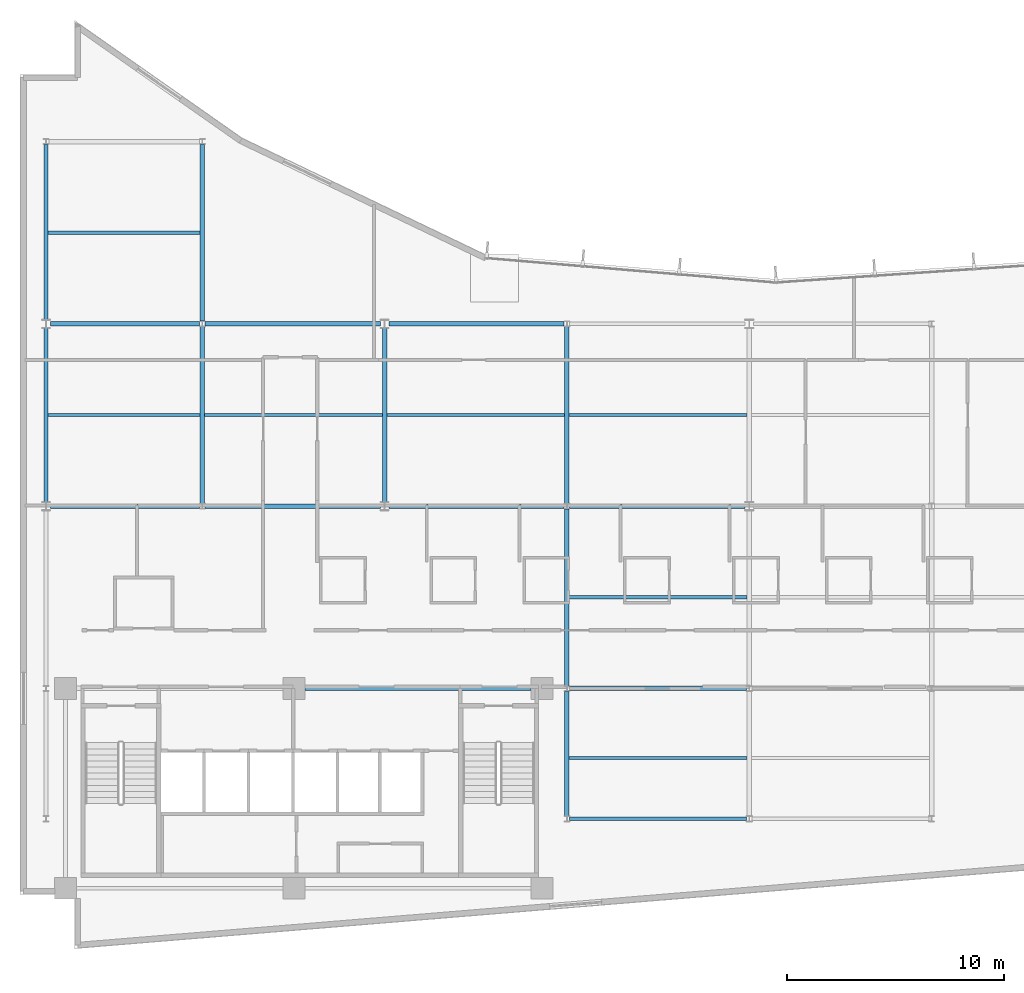
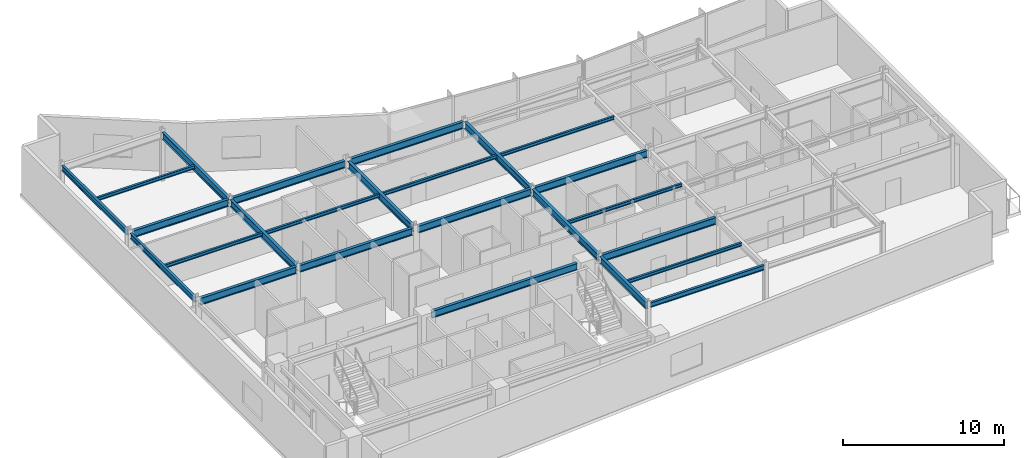
# One storey, part 4 of 15: 25 beams.
"""IFC4 building model written with IfcOpenShell, lengths in metres."""

from ifc_helpers import new_model, si_unit, direction, frame, origin, origin_2d, place, context, subcontext, project, spatial, i_section, extrude, material, material_profile, profile_set, type_object, element, save


model = new_model("IFC4")

# Units and contexts
model_context = context("Model", 3, precision=1e-05, world=origin(), true_north=direction((0.0, 1.0)))
body_context = subcontext(model_context, "Body", "Model", "MODEL_VIEW")
ifc_project = project(units=[si_unit("LENGTHUNIT", "METRE"), si_unit("AREAUNIT", "SQUARE_METRE"), si_unit("VOLUMEUNIT", "CUBIC_METRE"), si_unit("PLANEANGLEUNIT", "RADIAN"), si_unit("MASSUNIT", "GRAM", prefix="KILO")], contexts=[model_context])

# Site, building, storey
site_placement = place(None, origin())
site = spatial("IfcSite", under=ifc_project, at=site_placement, CompositionType="ELEMENT")
building_placement = place(site_placement, origin())
building = spatial("IfcBuilding", under=site, at=building_placement, Name="Varnakote Quay Hospital", CompositionType="ELEMENT")
storey_placement = place(building_placement, frame((0.0, 0.0, 200.0)))
storey = spatial("IfcBuildingStorey", under=building, at=storey_placement, Name="L49", CompositionType="ELEMENT", Elevation=200.0)

# Beams
ifc_material_1 = material(Name="Structural steel AS/NZS 3679.1 Grade 350 L0 (fy 340 MPa)", Category="steel")
ifc_material_profile_1 = material_profile(ifc_material_1, i_section(OverallWidth=0.208984375, OverallDepth=0.528076171875, WebThickness=0.009521484375, FlangeThickness=0.01318359375, FilletRadius=0.013916015625, at=origin_2d()), Name="530UB82.0")
ifc_profile_set_1 = profile_set([ifc_material_profile_1], Name="Structural steel AS/NZS 3679.1 Grade 350 L0 (fy 340 MPa)")
beam_type_1 = type_object("IfcBeamType", Name="BM-STL-530UB82-0", PredefinedType="BEAM", material=ifc_profile_set_1)
beam_1_placement = place(storey_placement, frame((8.39990234375, 20.530029296875, 3.446044921875), z_axis=(0.0, 1.0, 0.0), x_axis=(-1.0, 0.0, 0.0)))
element("IfcBeam", 1, at=beam_1_placement, inside=storey, type_object=beam_type_1, Name="L49 Primary Tie Beam", PredefinedType="BEAM", context=body_context, shape_type="SweptSolid", body=[
    extrude(i_section(OverallWidth=0.208984375, OverallDepth=0.528076171875, WebThickness=0.009521484375, FlangeThickness=0.01318359375, FilletRadius=0.013916015625, at=origin_2d()), origin(), (0.0, 0.0, 1.0), 8.139892578125),
])
beam_2_placement = place(storey_placement, frame((8.39990234375, 28.929931640625, 3.446044921875), z_axis=(0.0, 1.0, 0.0), x_axis=(-1.0, 0.0, 0.0)))
element("IfcBeam", 2, at=beam_2_placement, inside=storey, type_object=beam_type_1, Name="L49 Primary Tie Beam", PredefinedType="BEAM", context=body_context, shape_type="SweptSolid", body=[
    extrude(i_section(OverallWidth=0.208984375, OverallDepth=0.528076171875, WebThickness=0.009521484375, FlangeThickness=0.01318359375, FilletRadius=0.013916015625, at=origin_2d()), origin(), (0.0, 0.0, 1.0), 8.14013671875),
])
beam_3_placement = place(storey_placement, frame((16.800048828125, 20.60205078125, 3.446044921875), z_axis=(0.0, 1.0, 0.0), x_axis=(-1.0, 0.0, 0.0)))
element("IfcBeam", 3, at=beam_3_placement, inside=storey, type_object=beam_type_1, Name="L49 Primary Tie Beam", PredefinedType="BEAM", context=body_context, shape_type="SweptSolid", body=[
    extrude(i_section(OverallWidth=0.208984375, OverallDepth=0.528076171875, WebThickness=0.009521484375, FlangeThickness=0.01318359375, FilletRadius=0.013916015625, at=origin_2d()), origin(), (0.0, 0.0, 1.0), 7.995849609375),
])
beam_4_placement = place(storey_placement, frame((25.199951171875, 6.1298828125, 3.446044921875), z_axis=(0.0, 1.0, 0.0), x_axis=(-1.0, 0.0, 0.0)))
element("IfcBeam", 4, at=beam_4_placement, inside=storey, type_object=beam_type_1, Name="L49 Primary Tie Beam", PredefinedType="BEAM", context=body_context, shape_type="SweptSolid", body=[
    extrude(i_section(OverallWidth=0.208984375, OverallDepth=0.528076171875, WebThickness=0.009521484375, FlangeThickness=0.01318359375, FilletRadius=0.013916015625, at=origin_2d()), origin(), (0.0, 0.0, 1.0), 5.740234375),
])
beam_5_placement = place(storey_placement, frame((25.199951171875, 12.1298828125, 3.446044921875), z_axis=(0.0, 1.0, 0.0), x_axis=(-1.0, 0.0, 0.0)))
element("IfcBeam", 5, at=beam_5_placement, inside=storey, type_object=beam_type_1, Name="L49 Primary Tie Beam", PredefinedType="BEAM", context=body_context, shape_type="SweptSolid", body=[
    extrude(i_section(OverallWidth=0.208984375, OverallDepth=0.528076171875, WebThickness=0.009521484375, FlangeThickness=0.01318359375, FilletRadius=0.013916015625, at=origin_2d()), origin(), (0.0, 0.0, 1.0), 8.14013671875),
])
beam_6_placement = place(storey_placement, frame((25.199951171875, 20.530029296875, 3.446044921875), z_axis=(0.0, 1.0, 0.0), x_axis=(-1.0, 0.0, 0.0)))
element("IfcBeam", 6, at=beam_6_placement, inside=storey, type_object=beam_type_1, Name="L49 Primary Tie Beam", PredefinedType="BEAM", context=body_context, shape_type="SweptSolid", body=[
    extrude(i_section(OverallWidth=0.208984375, OverallDepth=0.528076171875, WebThickness=0.009521484375, FlangeThickness=0.01318359375, FilletRadius=0.013916015625, at=origin_2d()), origin(), (0.0, 0.0, 1.0), 8.139892578125),
])
ifc_material_2 = material(Name="Structural steel AS/NZS 3679.1 Grade 350 L0 (fy 340 MPa)", Category="steel")
ifc_material_profile_2 = material_profile(ifc_material_2, i_section(OverallWidth=0.208984375, OverallDepth=0.532958984375, WebThickness=0.01025390625, FlangeThickness=0.015625, FilletRadius=0.013916015625, at=origin_2d()), Name="530UB92.4")
ifc_profile_set_2 = profile_set([ifc_material_profile_2], Name="Structural steel AS/NZS 3679.1 Grade 350 L0 (fy 340 MPa)")
beam_type_2 = type_object("IfcBeamType", Name="BM-STL-530UB92-4", PredefinedType="BEAM", material=ifc_profile_set_2)
beam_7_placement = place(storey_placement, frame((13.1201171875, 12.0, 3.443603515625), z_axis=(1.0, 0.0, 0.0), x_axis=(0.0, 1.0, 0.0)))
element("IfcBeam", 7, at=beam_7_placement, inside=storey, type_object=beam_type_2, Name="L49 Primary Floor Beam", PredefinedType="BEAM", context=body_context, shape_type="SweptSolid", body=[
    extrude(i_section(OverallWidth=0.208984375, OverallDepth=0.532958984375, WebThickness=0.01025390625, FlangeThickness=0.015625, FilletRadius=0.013916015625, at=origin_2d()), origin(), (0.0, 0.0, 1.0), 10.429931640625),
])
beam_8_placement = place(storey_placement, frame((25.327880859375, 12.0, 3.443603515625), z_axis=(1.0, 0.0, 0.0), x_axis=(0.0, 1.0, 0.0)))
element("IfcBeam", 8, at=beam_8_placement, inside=storey, type_object=beam_type_2, Name="L49 Primary Floor Beam", PredefinedType="BEAM", context=body_context, shape_type="SweptSolid", body=[
    extrude(i_section(OverallWidth=0.208984375, OverallDepth=0.532958984375, WebThickness=0.01025390625, FlangeThickness=0.015625, FilletRadius=0.013916015625, at=origin_2d()), origin(), (0.0, 0.0, 1.0), 8.14404296875),
])
beam_9_placement = place(storey_placement, frame((1.39990234375, 20.39990234375, 3.443603515625), z_axis=(1.0, 0.0, 0.0), x_axis=(0.0, 1.0, 0.0)))
element("IfcBeam", 9, at=beam_9_placement, inside=storey, type_object=beam_type_2, Name="L49 Primary Floor Beam", PredefinedType="BEAM", context=body_context, shape_type="SweptSolid", body=[
    extrude(i_section(OverallWidth=0.208984375, OverallDepth=0.532958984375, WebThickness=0.01025390625, FlangeThickness=0.015625, FilletRadius=0.013916015625, at=origin_2d()), origin(), (0.0, 0.0, 1.0), 6.8720703125),
])
for number, where, z_axis, x_axis, name in (
    (10, (8.528076171875, 20.39990234375, 3.443603515625), (1.0, 0.0, 0.0), (0.0, 1.0, 0.0), "L49 Primary Floor Beam"),
    (11, (17.0, 20.39990234375, 3.443603515625), (1.0, 0.0, 0.0), (0.0, 1.0, 0.0), "L49 Primary Floor Beam"),
    (12, (25.327880859375, 20.39990234375, 3.443603515625), (1.0, 0.0, 0.0), (0.0, 1.0, 0.0), "L49 Primary Floor Beam"),
):
    element("IfcBeam", number, at=place(storey_placement, frame(where, z_axis=z_axis, x_axis=x_axis)), inside=storey, type_object=beam_type_2, Name=name, PredefinedType="BEAM", context=body_context, shape_type="SweptSolid", body=[
        extrude(i_section(OverallWidth=0.208984375, OverallDepth=0.532958984375, WebThickness=0.01025390625, FlangeThickness=0.015625, FilletRadius=0.013916015625, at=origin_2d()), origin(), (0.0, 0.0, 1.0), 8.072021484375),
    ])
beam_10_placement = place(storey_placement, frame((1.39990234375, 28.800048828125, 3.443603515625), z_axis=(1.0, 0.0, 0.0), x_axis=(0.0, 1.0, 0.0)))
element("IfcBeam", 13, at=beam_10_placement, inside=storey, type_object=beam_type_2, Name="L49 Primary Floor Beam", PredefinedType="BEAM", context=body_context, shape_type="SweptSolid", body=[
    extrude(i_section(OverallWidth=0.208984375, OverallDepth=0.532958984375, WebThickness=0.01025390625, FlangeThickness=0.015625, FilletRadius=0.013916015625, at=origin_2d()), origin(), (0.0, 0.0, 1.0), 6.8720703125),
])
for number, where, z_axis, x_axis, name in (
    (14, (8.528076171875, 28.800048828125, 3.443603515625), (1.0, 0.0, 0.0), (0.0, 1.0, 0.0), "L49 Primary Floor Beam"),
    (15, (17.0, 28.800048828125, 3.443603515625), (1.0, 0.0, 0.0), (0.0, 1.0, 0.0), "L49 Primary Floor Beam"),
):
    element("IfcBeam", number, at=place(storey_placement, frame(where, z_axis=z_axis, x_axis=x_axis)), inside=storey, type_object=beam_type_2, Name=name, PredefinedType="BEAM", context=body_context, shape_type="SweptSolid", body=[
        extrude(i_section(OverallWidth=0.208984375, OverallDepth=0.532958984375, WebThickness=0.01025390625, FlangeThickness=0.015625, FilletRadius=0.013916015625, at=origin_2d()), origin(), (0.0, 0.0, 1.0), 8.072021484375),
    ])
ifc_material_3 = material(Name="Structural steel AS/NZS 3679.1 Grade 350 L0 (fy 340 MPa)", Category="steel")
ifc_material_profile_3 = material_profile(ifc_material_3, i_section(OverallWidth=0.14599609375, OverallDepth=0.256103515625, WebThickness=0.00634765625, FlangeThickness=0.010986328125, FilletRadius=0.0087890625, at=origin_2d()), Name="250UB37.3")
ifc_profile_set_3 = profile_set([ifc_material_profile_3], Name="Structural steel AS/NZS 3679.1 Grade 350 L0 (fy 340 MPa)")
beam_type_3 = type_object("IfcBeamType", Name="JST-STL-250UB37-3", PredefinedType="JOIST", material=ifc_profile_set_3)
for number, where, z_axis, x_axis, name in (
    (16, (25.304443359375, 8.800048828125, 3.58203125), (1.0, 0.0, 0.0), (0.0, 1.0, 0.0), "L49 Composite Floor Joist"),
    (17, (25.304443359375, 16.199951171875, 3.58203125), (1.0, 0.0, 0.0), (0.0, 1.0, 0.0), "L49 Composite Floor Joist"),
):
    element("IfcBeam", number, at=place(storey_placement, frame(where, z_axis=z_axis, x_axis=x_axis)), inside=storey, type_object=beam_type_3, Name=name, PredefinedType="JOIST", context=body_context, shape_type="SweptSolid", body=[
        extrude(i_section(OverallWidth=0.14599609375, OverallDepth=0.256103515625, WebThickness=0.00634765625, FlangeThickness=0.010986328125, FilletRadius=0.0087890625, at=origin_2d()), origin(), (0.0, 0.0, 1.0), 8.191162109375),
    ])
beam_11_placement = place(storey_placement, frame((1.2890625, 24.60009765625, 3.58203125), z_axis=(1.0, 0.0, 0.0), x_axis=(0.0, 1.0, 0.0)))
element("IfcBeam", 18, at=beam_11_placement, inside=storey, type_object=beam_type_3, Name="L49 Composite Floor Joist", PredefinedType="JOIST", context=body_context, shape_type="SweptSolid", body=[
    extrude(i_section(OverallWidth=0.14599609375, OverallDepth=0.256103515625, WebThickness=0.00634765625, FlangeThickness=0.010986328125, FilletRadius=0.0087890625, at=origin_2d()), origin(), (0.0, 0.0, 1.0), 7.00634765625),
])
beam_12_placement = place(storey_placement, frame((8.50439453125, 24.60009765625, 3.58203125), z_axis=(1.0, 0.0, 0.0), x_axis=(0.0, 1.0, 0.0)))
element("IfcBeam", 19, at=beam_12_placement, inside=storey, type_object=beam_type_3, Name="L49 Composite Floor Joist", PredefinedType="JOIST", context=body_context, shape_type="SweptSolid", body=[
    extrude(i_section(OverallWidth=0.14599609375, OverallDepth=0.256103515625, WebThickness=0.00634765625, FlangeThickness=0.010986328125, FilletRadius=0.0087890625, at=origin_2d()), origin(), (0.0, 0.0, 1.0), 8.191162109375),
])
beam_13_placement = place(storey_placement, frame((16.904541015625, 24.60009765625, 3.58203125), z_axis=(1.0, 0.0, 0.0), x_axis=(0.0, 1.0, 0.0)))
element("IfcBeam", 20, at=beam_13_placement, inside=storey, type_object=beam_type_3, Name="L49 Composite Floor Joist", PredefinedType="JOIST", context=body_context, shape_type="SweptSolid", body=[
    extrude(i_section(OverallWidth=0.14599609375, OverallDepth=0.256103515625, WebThickness=0.00634765625, FlangeThickness=0.010986328125, FilletRadius=0.0087890625, at=origin_2d()), origin(), (0.0, 0.0, 1.0), 8.19091796875),
])
beam_14_placement = place(storey_placement, frame((25.304443359375, 24.60009765625, 3.58203125), z_axis=(1.0, 0.0, 0.0), x_axis=(0.0, 1.0, 0.0)))
element("IfcBeam", 21, at=beam_14_placement, inside=storey, type_object=beam_type_3, Name="L49 Composite Floor Joist", PredefinedType="JOIST", context=body_context, shape_type="SweptSolid", body=[
    extrude(i_section(OverallWidth=0.14599609375, OverallDepth=0.256103515625, WebThickness=0.00634765625, FlangeThickness=0.010986328125, FilletRadius=0.0087890625, at=origin_2d()), origin(), (0.0, 0.0, 1.0), 8.191162109375),
])
beam_15_placement = place(storey_placement, frame((1.2890625, 33.0, 3.58203125), z_axis=(1.0, 0.0, 0.0), x_axis=(0.0, 1.0, 0.0)))
element("IfcBeam", 22, at=beam_15_placement, inside=storey, type_object=beam_type_3, Name="L49 Composite Floor Joist", PredefinedType="JOIST", context=body_context, shape_type="SweptSolid", body=[
    extrude(i_section(OverallWidth=0.14599609375, OverallDepth=0.256103515625, WebThickness=0.00634765625, FlangeThickness=0.010986328125, FilletRadius=0.0087890625, at=origin_2d()), origin(), (0.0, 0.0, 1.0), 7.00634765625),
])
ifc_material_4 = material(Name="Structural steel AS/NZS 3679.1 Grade 350 L0 (fy 340 MPa)", Category="steel")
ifc_material_profile_4 = material_profile(ifc_material_4, i_section(OverallWidth=0.172119140625, OverallDepth=0.35888671875, WebThickness=0.008056640625, FlangeThickness=0.012939453125, FilletRadius=0.011474609375, at=origin_2d()), Name="360UB56.7")
ifc_profile_set_4 = profile_set([ifc_material_profile_4], Name="Structural steel AS/NZS 3679.1 Grade 350 L0 (fy 340 MPa)")
beam_type_4 = type_object("IfcBeamType", Name="SPN-STL-360UB56-7", PredefinedType="SPANDREL", material=ifc_profile_set_4)
beam_16_placement = place(storey_placement, frame((25.327880859375, 6.0, 3.530517578125), z_axis=(1.0, 0.0, 0.0), x_axis=(0.0, 1.0, 0.0)))
element("IfcBeam", 23, at=beam_16_placement, inside=storey, type_object=beam_type_4, Name="L49 Perimeter Spandrel Beam", PredefinedType="SPANDREL", context=body_context, shape_type="SweptSolid", body=[
    extrude(i_section(OverallWidth=0.172119140625, OverallDepth=0.35888671875, WebThickness=0.008056640625, FlangeThickness=0.012939453125, FilletRadius=0.011474609375, at=origin_2d()), origin(), (0.0, 0.0, 1.0), 8.14404296875),
])
ifc_material_5 = material(Name="Structural steel AS/NZS 3679.1 Grade 350 L0 (fy 340 MPa)", Category="steel")
ifc_material_profile_5 = material_profile(ifc_material_5, i_section(OverallWidth=0.177978515625, OverallDepth=0.403076171875, WebThickness=0.007568359375, FlangeThickness=0.010986328125, FilletRadius=0.011474609375, at=origin_2d()), Name="410UB53.7")
ifc_profile_set_5 = profile_set([ifc_material_profile_5], Name="Structural steel AS/NZS 3679.1 Grade 350 L0 (fy 340 MPa)")
beam_type_5 = type_object("IfcBeamType", Name="SPN-STL-410UB53-7", PredefinedType="SPANDREL", material=ifc_profile_set_5)
beam_17_placement = place(storey_placement, frame((1.199951171875, 20.60205078125, 3.508544921875), z_axis=(0.0, 1.0, 0.0), x_axis=(-1.0, 0.0, 0.0)))
element("IfcBeam", 24, at=beam_17_placement, inside=storey, type_object=beam_type_5, Name="L49 Perimeter Spandrel Beam", PredefinedType="SPANDREL", context=body_context, shape_type="SweptSolid", body=[
    extrude(i_section(OverallWidth=0.177978515625, OverallDepth=0.403076171875, WebThickness=0.007568359375, FlangeThickness=0.010986328125, FilletRadius=0.011474609375, at=origin_2d()), origin(), (0.0, 0.0, 1.0), 7.995849609375),
])
beam_18_placement = place(storey_placement, frame((1.199951171875, 29.001953125, 3.508544921875), z_axis=(0.0, 1.0, 0.0), x_axis=(-1.0, 0.0, 0.0)))
element("IfcBeam", 25, at=beam_18_placement, inside=storey, type_object=beam_type_5, Name="L49 Perimeter Spandrel Beam", PredefinedType="SPANDREL", context=body_context, shape_type="SweptSolid", body=[
    extrude(i_section(OverallWidth=0.177978515625, OverallDepth=0.403076171875, WebThickness=0.007568359375, FlangeThickness=0.010986328125, FilletRadius=0.011474609375, at=origin_2d()), origin(), (0.0, 0.0, 1.0), 8.068115234375),
])

save(model, "model.ifc")
